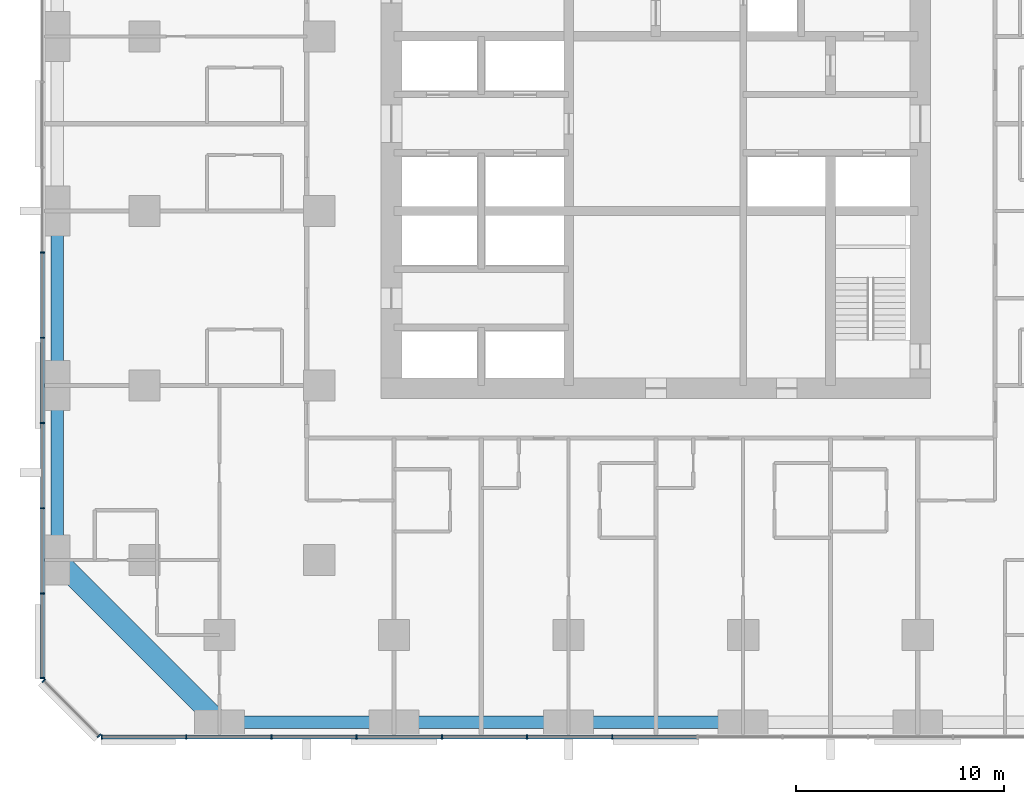
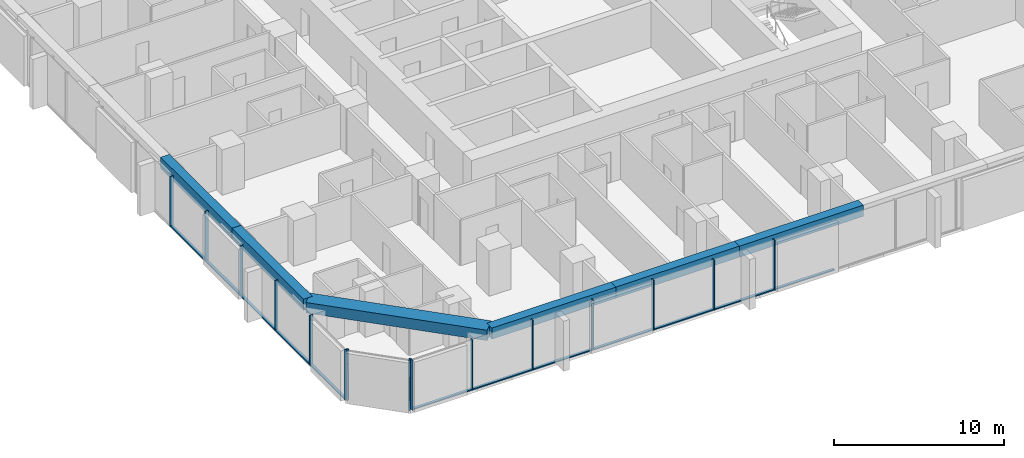
# One storey, part 2 of 14: 27 members, 6 beams, 3 elements without a shape of their own.
"""IFC4 building model written with IfcOpenShell, lengths in metres."""

import ifcopenshell
import ifcopenshell.guid

model = None  # the IFC model being written
_history = None  # IfcOwnerHistory: only IFC2X3 demands one
_inside = {}  # id of a spatial element -> (the spatial element, [elements in it])
_under = {}  # id of a project, library or spatial element -> (it, [spatial elements below it])
_declared = {}  # id of a project -> (the project, [libraries it declares])
_typed = {}  # id of a type object -> (the type object, [elements of that type])
_made_of = {}  # id of a material, layer set ... -> (it, [elements and type objects made of it])


def new_model(schema):
    """Start an empty IFC model of exactly this schema.

    Asked for "IFC4X3", IfcOpenShell would pick the latest addendum, in which some entities
    have other attributes; the version numbers below select the first issue.
    IFC2X3 requires an IfcOwnerHistory on every rooted entity: one is made here for all.
    """
    global model, _history
    if schema == "IFC4X3":
        model = ifcopenshell.file(schema_version=(4, 3, 0, 0))
    else:
        model = ifcopenshell.file(schema=schema)
    _inside.clear()
    _under.clear()
    _declared.clear()
    _typed.clear()
    _made_of.clear()
    _history = None
    if model.schema == "IFC2X3":
        org = make("IfcOrganization", Name="unknown")
        user = make(
            "IfcPersonAndOrganization",
            ThePerson=make("IfcPerson", FamilyName="unknown"),
            TheOrganization=org,
        )
        app = make(
            "IfcApplication",
            ApplicationDeveloper=org,
            Version="unknown",
            ApplicationFullName="unknown",
            ApplicationIdentifier="unknown",
        )
        _history = make(
            "IfcOwnerHistory",
            OwningUser=user,
            OwningApplication=app,
            ChangeAction="ADDED",
            CreationDate=0,
        )
    return model


def make(cls, **values):
    """One entity of the class cls with the attributes given. An attribute that is None is left unset."""
    return model.create_entity(
        cls, **{name: value for name, value in values.items() if value is not None}
    )


def rooted(cls, **values):
    """An entity with a GlobalId (a new one), such as an element, a storey or a relation."""
    return make(cls, GlobalId=ifcopenshell.guid.new(), OwnerHistory=_history, **values)


def si_unit(unit_type, name, prefix=None):
    """IfcSIUnit, for example si_unit("LENGTHUNIT", "METRE", prefix="MILLI")."""
    return make("IfcSIUnit", UnitType=unit_type, Prefix=prefix, Name=name)


def assignment(units):
    """IfcUnitAssignment: the units of a project."""
    return None if units is None else make("IfcUnitAssignment", Units=units)


def point(xyz):
    """IfcCartesianPoint."""
    return None if xyz is None else make("IfcCartesianPoint", Coordinates=xyz)


def direction(xyz):
    """IfcDirection."""
    return None if xyz is None else make("IfcDirection", DirectionRatios=xyz)


def frame(location, z_axis=None, x_axis=None):
    """IfcAxis2Placement3D, a coordinate frame: its origin and axes. An axis left out is left unset."""
    return make(
        "IfcAxis2Placement3D",
        Location=point(location),
        Axis=direction(z_axis),
        RefDirection=direction(x_axis),
    )


def frame_2d(location, x_axis=None):
    """IfcAxis2Placement2D, a coordinate frame in the plane: its origin and x axis."""
    return make(
        "IfcAxis2Placement2D", Location=point(location), RefDirection=direction(x_axis)
    )


def origin():
    """The frame at (0, 0, 0) with its axes left unset."""
    return frame((0.0, 0.0, 0.0))


def origin_2d():
    """The frame at (0, 0) in the plane with its x axis left unset."""
    return frame_2d((0.0, 0.0))


def place(relative_to, where):
    """IfcLocalPlacement: puts the frame where relative to a parent placement (None: the world)."""
    return make(
        "IfcLocalPlacement", PlacementRelTo=relative_to, RelativePlacement=where
    )


def context(
    kind, dimensions, precision=None, world=None, true_north=None, identifier=None
):
    """IfcGeometricRepresentationContext, for example the 3D "Model" context."""
    return make(
        "IfcGeometricRepresentationContext",
        ContextIdentifier=identifier,
        ContextType=kind,
        CoordinateSpaceDimension=dimensions,
        Precision=precision,
        WorldCoordinateSystem=world,
        TrueNorth=true_north,
    )


def subcontext(parent, identifier, kind, view, scale=None):
    """IfcGeometricRepresentationSubContext, for example "Body" below "Model"."""
    return make(
        "IfcGeometricRepresentationSubContext",
        ContextIdentifier=identifier,
        ContextType=kind,
        ParentContext=parent,
        TargetScale=scale,
        TargetView=view,
    )


def project(units=None, contexts=None):
    """IfcProject with its units and contexts."""
    return rooted(
        "IfcProject",
        Name="project",
        RepresentationContexts=contexts,
        UnitsInContext=assignment(units),
    )


def spatial(cls, under=None, at=None, **own):
    """A site, building, storey or space (cls), placed at a placement, below another one or the project."""
    s = rooted(cls, ObjectPlacement=at, **own)
    if under is not None:
        _under.setdefault(under.id(), (under, []))[1].append(s)
    return s


def profile(cls, at=None, kind="AREA", **sizes):
    """A parametric profile (cls). Its sizes go by their IFC names, for example OverallWidth=200.0."""
    return make(cls, ProfileType=kind, Position=at, **sizes)


def rectangle(**sizes):
    """IfcRectangleProfileDef."""
    return profile("IfcRectangleProfileDef", **sizes)


def extrude(swept, where, along, depth):
    """IfcExtrudedAreaSolid: the profile swept, set in the frame where, extruded along a direction by depth."""
    return make(
        "IfcExtrudedAreaSolid",
        SweptArea=swept,
        Position=where,
        ExtrudedDirection=direction(along),
        Depth=depth,
    )


def shape(context_of_items, identifier, shape_type, items):
    """IfcShapeRepresentation: the items that make up one representation, for example the "Body"."""
    return make(
        "IfcShapeRepresentation",
        ContextOfItems=context_of_items,
        RepresentationIdentifier=identifier,
        RepresentationType=shape_type,
        Items=items,
    )


def material(Name=None, Category=None):
    """IfcMaterial."""
    return make("IfcMaterial", Name=Name, Category=Category)


def material_profile(
    of_material, cross_section, Name=None, Category=None, Priority=None
):
    """IfcMaterialProfile: a cross section and its material."""
    return make(
        "IfcMaterialProfile",
        Name=Name,
        Material=of_material,
        Profile=cross_section,
        Priority=Priority,
        Category=Category,
    )


def profile_set(profiles, Name=None, composite=None):
    """IfcMaterialProfileSet."""
    return make(
        "IfcMaterialProfileSet",
        Name=Name,
        MaterialProfiles=profiles,
        CompositeProfile=composite,
    )


def made_of(thing, what):
    """Note that an element or type object is made of a material, layer set ...; save() writes the relation."""
    if what is not None:
        _made_of.setdefault(what.id(), (what, []))[1].append(thing)
    return thing


def type_object(cls, material=None, **own):
    """A type object (cls), such as IfcWallType, which elements share."""
    return made_of(rooted(cls, **own), material)


def element(
    cls,
    number,
    at=None,
    inside=None,
    cuts=None,
    type_object=None,
    material=None,
    context=None,
    identifier="Body",
    shape_type=None,
    held_by="IfcProductDefinitionShape",
    body=None,
    shapes=None,
    **own,
):
    """One element of the class cls, such as IfcWall. Its Tag is "e" and its number.

    at: its placement. inside: the storey or other place that contains it. cuts: it is an
    opening in that element (IfcRelVoidsElement). A single representation is given by context,
    identifier, shape_type and body (its items); several are given by shapes. held_by: the class
    of the entity that holds the representations. save() writes the other relations.
    """
    e = rooted(cls, Tag="e%d" % number, ObjectPlacement=at, **own)
    if body is not None:
        shapes = [shape(context, identifier, shape_type, body)]
    if shapes is not None:
        e.Representation = make(held_by, Representations=shapes)
    if inside is not None:
        _inside.setdefault(inside.id(), (inside, []))[1].append(e)
    if cuts is not None:
        rooted(
            "IfcRelVoidsElement", RelatingBuildingElement=cuts, RelatedOpeningElement=e
        )
    if type_object is not None:
        _typed.setdefault(type_object.id(), (type_object, []))[1].append(e)
    return made_of(e, material)


def aggregate(whole, parts):
    """IfcRelAggregates: a whole, such as a stair, and the parts it consists of."""
    return rooted("IfcRelAggregates", RelatingObject=whole, RelatedObjects=parts)


def save(model, path):
    """Write the relations noted so far, then the file.

    IfcRelAggregates (storeys below a building ...), IfcRelContainedInSpatialStructure (elements
    in a storey), IfcRelDefinesByType, IfcRelAssociatesMaterial and IfcRelDeclares: one each for
    every whole, place, type object, material and project.
    """
    for whole, parts in _under.values():
        aggregate(whole, parts)
    for where, things in _inside.values():
        rooted(
            "IfcRelContainedInSpatialStructure",
            RelatedElements=things,
            RelatingStructure=where,
        )
    for kind, things in _typed.values():
        rooted("IfcRelDefinesByType", RelatedObjects=things, RelatingType=kind)
    for what, things in _made_of.values():
        rooted("IfcRelAssociatesMaterial", RelatedObjects=things, RelatingMaterial=what)
    for by, libraries in _declared.values():
        rooted("IfcRelDeclares", RelatingContext=by, RelatedDefinitions=libraries)
    model.write(path)


model = new_model("IFC4")

# Units and contexts
model_context = context("Model", 3, precision=1e-05, world=origin(), true_north=direction((0.0, 1.0)))
body_context = subcontext(model_context, "Body", "Model", "MODEL_VIEW")
ifc_project = project(units=[si_unit("LENGTHUNIT", "METRE"), si_unit("AREAUNIT", "SQUARE_METRE"), si_unit("VOLUMEUNIT", "CUBIC_METRE"), si_unit("PLANEANGLEUNIT", "RADIAN"), si_unit("MASSUNIT", "GRAM", prefix="KILO")], contexts=[model_context])

# Site, building, storey
site_placement = place(None, origin())
site = spatial("IfcSite", under=ifc_project, at=site_placement, CompositionType="ELEMENT")
building_placement = place(site_placement, origin())
building = spatial("IfcBuilding", under=site, at=building_placement, Name="Dunama Terrace Hotel", CompositionType="ELEMENT")
storey_placement = place(building_placement, frame((0.0, 0.0, 136.800048828125)))
storey = spatial("IfcBuildingStorey", under=building, at=storey_placement, Name="L35", CompositionType="ELEMENT", Elevation=136.800048828125)

# Curtain wall, members
ifc_material_1 = material(Name="Aluminium curtain wall system", Category="aluminium")
curtain_wall_type = type_object("IfcCurtainWallType", Name="Unitised fritted glass wall CW-B", PredefinedType="NOTDEFINED", material=ifc_material_1)
curtain_wall_1_placement = place(storey_placement, origin())
curtain_wall_1 = element("IfcCurtainWall", 1, at=curtain_wall_1_placement, inside=storey, type_object=curtain_wall_type, Name="Unitised fritted glass wall CW-B L35", PredefinedType="NOTDEFINED")
ifc_material_2 = material(Name="Aluminium mullion", Category="aluminium")
ifc_material_profile_1 = material_profile(ifc_material_2, rectangle(XDim=0.06494140625, YDim=0.219970703125, at=origin_2d()), Name="CWB MULLION 65X220")
ifc_profile_set_1 = profile_set([ifc_material_profile_1], Name="Aluminium mullion")
member_type_1 = type_object("IfcMemberType", Name="CWB mullion 65x220", PredefinedType="MULLION", material=ifc_profile_set_1)
member_1_placement = place(storey_placement, frame((2.73291015625, -0.110107421875, 0.0), z_axis=(0.0, 0.0, 1.0), x_axis=(1.0, 0.0, 0.0)))
member_1 = element("IfcMember", 2, at=member_1_placement, type_object=member_type_1, Name="CWB mullion", PredefinedType="MULLION", context=body_context, shape_type="SweptSolid", body=[
    extrude(rectangle(XDim=0.06494140625, YDim=0.219970703125, at=origin_2d()), origin(), (0.0, 0.0, 1.0), 3.599853515625),
])
member_2_placement = place(storey_placement, frame((6.800048828125, -0.110107421875, 0.0), z_axis=(0.0, 0.0, 1.0), x_axis=(1.0, 0.0, 0.0)))
member_2 = element("IfcMember", 3, at=member_2_placement, type_object=member_type_1, Name="CWB mullion", PredefinedType="MULLION", context=body_context, shape_type="SweptSolid", body=[
    extrude(rectangle(XDim=0.06494140625, YDim=0.219970703125, at=origin_2d()), origin(), (0.0, 0.0, 1.0), 3.599853515625),
])
member_3_placement = place(storey_placement, frame((10.89990234375, -0.110107421875, 0.0), z_axis=(0.0, 0.0, 1.0), x_axis=(1.0, 0.0, 0.0)))
member_3 = element("IfcMember", 4, at=member_3_placement, type_object=member_type_1, Name="CWB mullion", PredefinedType="MULLION", context=body_context, shape_type="SweptSolid", body=[
    extrude(rectangle(XDim=0.06494140625, YDim=0.219970703125, at=origin_2d()), origin(), (0.0, 0.0, 1.0), 3.599853515625),
])
member_4_placement = place(storey_placement, frame((15.0, -0.110107421875, 0.0), z_axis=(0.0, 0.0, 1.0), x_axis=(1.0, 0.0, 0.0)))
member_4 = element("IfcMember", 5, at=member_4_placement, type_object=member_type_1, Name="CWB mullion", PredefinedType="MULLION", context=body_context, shape_type="SweptSolid", body=[
    extrude(rectangle(XDim=0.06494140625, YDim=0.219970703125, at=origin_2d()), origin(), (0.0, 0.0, 1.0), 3.599853515625),
])
member_5_placement = place(storey_placement, frame((19.10009765625, -0.110107421875, 0.0), z_axis=(0.0, 0.0, 1.0), x_axis=(1.0, 0.0, 0.0)))
member_5 = element("IfcMember", 6, at=member_5_placement, type_object=member_type_1, Name="CWB mullion", PredefinedType="MULLION", context=body_context, shape_type="SweptSolid", body=[
    extrude(rectangle(XDim=0.06494140625, YDim=0.219970703125, at=origin_2d()), origin(), (0.0, 0.0, 1.0), 3.599853515625),
])
member_6_placement = place(storey_placement, frame((23.199951171875, -0.110107421875, 0.0), z_axis=(0.0, 0.0, 1.0), x_axis=(1.0, 0.0, 0.0)))
member_6 = element("IfcMember", 7, at=member_6_placement, type_object=member_type_1, Name="CWB mullion", PredefinedType="MULLION", context=body_context, shape_type="SweptSolid", body=[
    extrude(rectangle(XDim=0.06494140625, YDim=0.219970703125, at=origin_2d()), origin(), (0.0, 0.0, 1.0), 3.599853515625),
])
member_7_placement = place(storey_placement, frame((27.300048828125, -0.110107421875, 0.0), z_axis=(0.0, 0.0, 1.0), x_axis=(1.0, 0.0, 0.0)))
member_7 = element("IfcMember", 8, at=member_7_placement, type_object=member_type_1, Name="CWB mullion", PredefinedType="MULLION", context=body_context, shape_type="SweptSolid", body=[
    extrude(rectangle(XDim=0.06494140625, YDim=0.219970703125, at=origin_2d()), origin(), (0.0, 0.0, 1.0), 3.599853515625),
])

curtain_wall_2_placement = place(storey_placement, origin())
curtain_wall_2 = element("IfcCurtainWall", 9, at=curtain_wall_2_placement, inside=storey, type_object=curtain_wall_type, Name="Unitised fritted glass wall CW-B L35", PredefinedType="NOTDEFINED")
member_8_placement = place(storey_placement, frame((-0.110107421875, 23.199951171875, 0.0), z_axis=(0.0, 0.0, 1.0), x_axis=(0.0, -1.0, 0.0)))
member_8 = element("IfcMember", 10, at=member_8_placement, type_object=member_type_1, Name="CWB mullion", PredefinedType="MULLION", context=body_context, shape_type="SweptSolid", body=[
    extrude(rectangle(XDim=0.06494140625, YDim=0.219970703125, at=origin_2d()), origin(), (0.0, 0.0, 1.0), 3.599853515625),
])
member_9_placement = place(storey_placement, frame((-0.110107421875, 19.10009765625, 0.0), z_axis=(0.0, 0.0, 1.0), x_axis=(0.0, -1.0, 0.0)))
member_9 = element("IfcMember", 11, at=member_9_placement, type_object=member_type_1, Name="CWB mullion", PredefinedType="MULLION", context=body_context, shape_type="SweptSolid", body=[
    extrude(rectangle(XDim=0.06494140625, YDim=0.219970703125, at=origin_2d()), origin(), (0.0, 0.0, 1.0), 3.599853515625),
])
member_10_placement = place(storey_placement, frame((-0.110107421875, 15.0, 0.0), z_axis=(0.0, 0.0, 1.0), x_axis=(0.0, -1.0, 0.0)))
member_10 = element("IfcMember", 12, at=member_10_placement, type_object=member_type_1, Name="CWB mullion", PredefinedType="MULLION", context=body_context, shape_type="SweptSolid", body=[
    extrude(rectangle(XDim=0.06494140625, YDim=0.219970703125, at=origin_2d()), origin(), (0.0, 0.0, 1.0), 3.599853515625),
])
member_11_placement = place(storey_placement, frame((-0.110107421875, 10.89990234375, 0.0), z_axis=(0.0, 0.0, 1.0), x_axis=(0.0, -1.0, 0.0)))
member_11 = element("IfcMember", 13, at=member_11_placement, type_object=member_type_1, Name="CWB mullion", PredefinedType="MULLION", context=body_context, shape_type="SweptSolid", body=[
    extrude(rectangle(XDim=0.06494140625, YDim=0.219970703125, at=origin_2d()), origin(), (0.0, 0.0, 1.0), 3.599853515625),
])
member_12_placement = place(storey_placement, frame((-0.110107421875, 6.800048828125, 0.0), z_axis=(0.0, 0.0, 1.0), x_axis=(0.0, -1.0, 0.0)))
member_12 = element("IfcMember", 14, at=member_12_placement, type_object=member_type_1, Name="CWB mullion", PredefinedType="MULLION", context=body_context, shape_type="SweptSolid", body=[
    extrude(rectangle(XDim=0.06494140625, YDim=0.219970703125, at=origin_2d()), origin(), (0.0, 0.0, 1.0), 3.599853515625),
])
member_13_placement = place(storey_placement, frame((-0.110107421875, 2.73291015625, 0.0), z_axis=(0.0, 0.0, 1.0), x_axis=(0.0, -1.0, 0.0)))
member_13 = element("IfcMember", 15, at=member_13_placement, type_object=member_type_1, Name="CWB mullion", PredefinedType="MULLION", context=body_context, shape_type="SweptSolid", body=[
    extrude(rectangle(XDim=0.06494140625, YDim=0.219970703125, at=origin_2d()), origin(), (0.0, 0.0, 1.0), 3.599853515625),
])

curtain_wall_3_placement = place(storey_placement, origin())
curtain_wall_3 = element("IfcCurtainWall", 16, at=curtain_wall_3_placement, inside=storey, type_object=curtain_wall_type, Name="Unitised fritted glass wall CW-B L35", PredefinedType="NOTDEFINED")
member_14_placement = place(storey_placement, frame((-0.054931640625, 2.59912109375, 0.0), z_axis=(0.0, 0.0, 1.0), x_axis=(0.707106781187, -0.707106781187, 0.0)))
member_14 = element("IfcMember", 17, at=member_14_placement, type_object=member_type_1, Name="CWB mullion", PredefinedType="MULLION", context=body_context, shape_type="SweptSolid", body=[
    extrude(rectangle(XDim=0.06494140625, YDim=0.219970703125, at=origin_2d()), origin(), (0.0, 0.0, 1.0), 3.599853515625),
])
member_15_placement = place(storey_placement, frame((2.59912109375, -0.054931640625, 0.0), z_axis=(0.0, 0.0, 1.0), x_axis=(0.707106781187, -0.707106781187, 0.0)))
member_15 = element("IfcMember", 18, at=member_15_placement, type_object=member_type_1, Name="CWB mullion", PredefinedType="MULLION", context=body_context, shape_type="SweptSolid", body=[
    extrude(rectangle(XDim=0.06494140625, YDim=0.219970703125, at=origin_2d()), origin(), (0.0, 0.0, 1.0), 3.599853515625),
])
aggregate(curtain_wall_3, [member_14, member_15])

# Member
ifc_material_3 = material(Name="Aluminium transom", Category="aluminium")
ifc_material_profile_2 = material_profile(ifc_material_3, rectangle(XDim=0.179931640625, YDim=0.080078125, at=origin_2d()), Name="CWB TRANSOM 180X80")
ifc_profile_set_2 = profile_set([ifc_material_profile_2], Name="Aluminium transom")
member_type_2 = type_object("IfcMemberType", Name="CWB transom 180x80", PredefinedType="USERDEFINED", material=ifc_profile_set_2)
member_16_placement = place(storey_placement, frame((2.764892578125, -0.110107421875, 0.0400390625), z_axis=(1.0, 0.0, 0.0), x_axis=(0.0, 1.0, 0.0)))
member_16 = element("IfcMember", 19, at=member_16_placement, type_object=member_type_2, Name="CWB transom", ObjectType="TRANSOM", PredefinedType="USERDEFINED", context=body_context, shape_type="SweptSolid", body=[
    extrude(rectangle(XDim=0.179931640625, YDim=0.080078125, at=origin_2d()), origin(), (0.0, 0.0, 1.0), 4.003173828125),
])

member_17_placement = place(storey_placement, frame((6.83203125, -0.110107421875, 0.0400390625), z_axis=(1.0, 0.0, 0.0), x_axis=(0.0, 1.0, 0.0)))
member_17 = element("IfcMember", 20, at=member_17_placement, type_object=member_type_2, Name="CWB transom", ObjectType="TRANSOM", PredefinedType="USERDEFINED", context=body_context, shape_type="SweptSolid", body=[
    extrude(rectangle(XDim=0.179931640625, YDim=0.080078125, at=origin_2d()), origin(), (0.0, 0.0, 1.0), 4.034912109375),
])

member_18_placement = place(storey_placement, frame((10.93310546875, -0.110107421875, 0.0400390625), z_axis=(1.0, 0.0, 0.0), x_axis=(0.0, 1.0, 0.0)))
member_18 = element("IfcMember", 21, at=member_18_placement, type_object=member_type_2, Name="CWB transom", ObjectType="TRANSOM", PredefinedType="USERDEFINED", context=body_context, shape_type="SweptSolid", body=[
    extrude(rectangle(XDim=0.179931640625, YDim=0.080078125, at=origin_2d()), origin(), (0.0, 0.0, 1.0), 4.033935546875),
])

member_19_placement = place(storey_placement, frame((15.031982421875, -0.110107421875, 0.0400390625), z_axis=(1.0, 0.0, 0.0), x_axis=(0.0, 1.0, 0.0)))
member_19 = element("IfcMember", 22, at=member_19_placement, type_object=member_type_2, Name="CWB transom", ObjectType="TRANSOM", PredefinedType="USERDEFINED", context=body_context, shape_type="SweptSolid", body=[
    extrude(rectangle(XDim=0.179931640625, YDim=0.080078125, at=origin_2d()), origin(), (0.0, 0.0, 1.0), 4.034912109375),
])

member_20_placement = place(storey_placement, frame((19.132080078125, -0.110107421875, 0.0400390625), z_axis=(1.0, 0.0, 0.0), x_axis=(0.0, 1.0, 0.0)))
member_20 = element("IfcMember", 23, at=member_20_placement, type_object=member_type_2, Name="CWB transom", ObjectType="TRANSOM", PredefinedType="USERDEFINED", context=body_context, shape_type="SweptSolid", body=[
    extrude(rectangle(XDim=0.179931640625, YDim=0.080078125, at=origin_2d()), origin(), (0.0, 0.0, 1.0), 4.035888671875),
])

member_21_placement = place(storey_placement, frame((23.23193359375, -0.110107421875, 0.0400390625), z_axis=(1.0, 0.0, 0.0), x_axis=(0.0, 1.0, 0.0)))
member_21 = element("IfcMember", 24, at=member_21_placement, type_object=member_type_2, Name="CWB transom", ObjectType="TRANSOM", PredefinedType="USERDEFINED", context=body_context, shape_type="SweptSolid", body=[
    extrude(rectangle(XDim=0.179931640625, YDim=0.080078125, at=origin_2d()), origin(), (0.0, 0.0, 1.0), 4.03515625),
])

member_22_placement = place(storey_placement, frame((27.33203125, -0.110107421875, 0.0400390625), z_axis=(1.0, 0.0, 0.0), x_axis=(0.0, 1.0, 0.0)))
member_22 = element("IfcMember", 25, at=member_22_placement, type_object=member_type_2, Name="CWB transom", ObjectType="TRANSOM", PredefinedType="USERDEFINED", context=body_context, shape_type="SweptSolid", body=[
    extrude(rectangle(XDim=0.179931640625, YDim=0.080078125, at=origin_2d()), origin(), (0.0, 0.0, 1.0), 4.034912109375),
])

aggregate(curtain_wall_1, [member_1, member_2, member_3, member_4, member_5, member_6, member_7, member_16, member_17, member_18, member_19, member_20, member_21, member_22])

member_23_placement = place(storey_placement, frame((-0.110107421875, 23.16796875, 0.0400390625), z_axis=(0.0, -1.0, 0.0), x_axis=(1.0, 0.0, 0.0)))
member_23 = element("IfcMember", 26, at=member_23_placement, type_object=member_type_2, Name="CWB transom", ObjectType="TRANSOM", PredefinedType="USERDEFINED", context=body_context, shape_type="SweptSolid", body=[
    extrude(rectangle(XDim=0.179931640625, YDim=0.080078125, at=origin_2d()), origin(), (0.0, 0.0, 1.0), 4.034912109375),
])

member_24_placement = place(storey_placement, frame((-0.110107421875, 19.068115234375, 0.0400390625), z_axis=(0.0, -1.0, 0.0), x_axis=(1.0, 0.0, 0.0)))
member_24 = element("IfcMember", 27, at=member_24_placement, type_object=member_type_2, Name="CWB transom", ObjectType="TRANSOM", PredefinedType="USERDEFINED", context=body_context, shape_type="SweptSolid", body=[
    extrude(rectangle(XDim=0.179931640625, YDim=0.080078125, at=origin_2d()), origin(), (0.0, 0.0, 1.0), 4.0361328125),
])

member_25_placement = place(storey_placement, frame((-0.110107421875, 14.968017578125, 0.0400390625), z_axis=(0.0, -1.0, 0.0), x_axis=(1.0, 0.0, 0.0)))
member_25 = element("IfcMember", 28, at=member_25_placement, type_object=member_type_2, Name="CWB transom", ObjectType="TRANSOM", PredefinedType="USERDEFINED", context=body_context, shape_type="SweptSolid", body=[
    extrude(rectangle(XDim=0.179931640625, YDim=0.080078125, at=origin_2d()), origin(), (0.0, 0.0, 1.0), 4.0361328125),
])

member_26_placement = place(storey_placement, frame((-0.110107421875, 10.866943359375, 0.0400390625), z_axis=(0.0, -1.0, 0.0), x_axis=(1.0, 0.0, 0.0)))
member_26 = element("IfcMember", 29, at=member_26_placement, type_object=member_type_2, Name="CWB transom", ObjectType="TRANSOM", PredefinedType="USERDEFINED", context=body_context, shape_type="SweptSolid", body=[
    extrude(rectangle(XDim=0.179931640625, YDim=0.080078125, at=origin_2d()), origin(), (0.0, 0.0, 1.0), 4.033935546875),
])

member_27_placement = place(storey_placement, frame((-0.110107421875, 6.76806640625, 0.0400390625), z_axis=(0.0, -1.0, 0.0), x_axis=(1.0, 0.0, 0.0)))
member_27 = element("IfcMember", 30, at=member_27_placement, type_object=member_type_2, Name="CWB transom", ObjectType="TRANSOM", PredefinedType="USERDEFINED", context=body_context, shape_type="SweptSolid", body=[
    extrude(rectangle(XDim=0.179931640625, YDim=0.080078125, at=origin_2d()), origin(), (0.0, 0.0, 1.0), 4.003173828125),
])

aggregate(curtain_wall_2, [member_8, member_9, member_10, member_11, member_12, member_13, member_23, member_24, member_25, member_26, member_27])

# Beams
ifc_material_4 = material(Name="Concrete C50/60", Category="concrete")
ifc_material_profile_3 = material_profile(ifc_material_4, rectangle(XDim=1.0, YDim=0.75, at=origin_2d()), Name="RC 1000x750")
ifc_profile_set_3 = profile_set([ifc_material_profile_3], Name="Concrete C50/60")
beam_type_1 = type_object("IfcBeamType", Name="Edge beam RC 1000x750", PredefinedType="SPANDREL", material=ifc_profile_set_3)
beam_1_placement = place(storey_placement, frame((8.39990234375, 0.60009765625, 3.224853515625), z_axis=(-0.707106781187, 0.707106781187, 0.0), x_axis=(-0.707106781187, -0.707106781187, 0.0)))
element("IfcBeam", 31, at=beam_1_placement, inside=storey, type_object=beam_type_1, Name="Corner edge beam under L36", PredefinedType="SPANDREL", context=body_context, shape_type="SweptSolid", body=[
    extrude(rectangle(XDim=1.0, YDim=0.75, at=origin_2d()), origin(), (0.0, 0.0, 1.0), 11.030517578125),
])
ifc_material_5 = material(Name="Concrete C40/50", Category="concrete")
ifc_material_profile_4 = material_profile(ifc_material_5, rectangle(XDim=0.60009765625, YDim=0.800048828125, at=origin_2d()), Name="RC 600x800")
ifc_profile_set_4 = profile_set([ifc_material_profile_4], Name="Concrete C40/50")
beam_type_2 = type_object("IfcBeamType", Name="Edge beam RC 600x800", PredefinedType="SPANDREL", material=ifc_profile_set_4)
beam_2_placement = place(storey_placement, frame((0.60009765625, 8.39990234375, 3.199951171875), z_axis=(0.0, 1.0, 0.0), x_axis=(-1.0, 0.0, 0.0)))
element("IfcBeam", 32, at=beam_2_placement, inside=storey, type_object=beam_type_2, Name="Edge beam under L36", PredefinedType="SPANDREL", context=body_context, shape_type="SweptSolid", body=[
    extrude(rectangle(XDim=0.60009765625, YDim=0.800048828125, at=origin_2d()), origin(), (0.0, 0.0, 1.0), 8.400146484375),
])
beam_3_placement = place(storey_placement, frame((0.60009765625, 16.800048828125, 3.199951171875), z_axis=(0.0, 1.0, 0.0), x_axis=(-1.0, 0.0, 0.0)))
element("IfcBeam", 33, at=beam_3_placement, inside=storey, type_object=beam_type_2, Name="Edge beam under L36", PredefinedType="SPANDREL", context=body_context, shape_type="SweptSolid", body=[
    extrude(rectangle(XDim=0.60009765625, YDim=0.800048828125, at=origin_2d()), origin(), (0.0, 0.0, 1.0), 8.39990234375),
])
beam_4_placement = place(storey_placement, frame((8.39990234375, 0.60009765625, 3.199951171875), z_axis=(1.0, 0.0, 0.0), x_axis=(0.0, 1.0, 0.0)))
element("IfcBeam", 34, at=beam_4_placement, inside=storey, type_object=beam_type_2, Name="Edge beam under L36", PredefinedType="SPANDREL", context=body_context, shape_type="SweptSolid", body=[
    extrude(rectangle(XDim=0.60009765625, YDim=0.800048828125, at=origin_2d()), origin(), (0.0, 0.0, 1.0), 8.400146484375),
])
beam_5_placement = place(storey_placement, frame((16.800048828125, 0.60009765625, 3.199951171875), z_axis=(1.0, 0.0, 0.0), x_axis=(0.0, 1.0, 0.0)))
element("IfcBeam", 35, at=beam_5_placement, inside=storey, type_object=beam_type_2, Name="Edge beam under L36", PredefinedType="SPANDREL", context=body_context, shape_type="SweptSolid", body=[
    extrude(rectangle(XDim=0.60009765625, YDim=0.800048828125, at=origin_2d()), origin(), (0.0, 0.0, 1.0), 8.39990234375),
])
beam_6_placement = place(storey_placement, frame((25.199951171875, 0.60009765625, 3.199951171875), z_axis=(1.0, 0.0, 0.0), x_axis=(0.0, 1.0, 0.0)))
element("IfcBeam", 36, at=beam_6_placement, inside=storey, type_object=beam_type_2, Name="Edge beam under L36", PredefinedType="SPANDREL", context=body_context, shape_type="SweptSolid", body=[
    extrude(rectangle(XDim=0.60009765625, YDim=0.800048828125, at=origin_2d()), origin(), (0.0, 0.0, 1.0), 8.400146484375),
])

save(model, "model.ifc")
